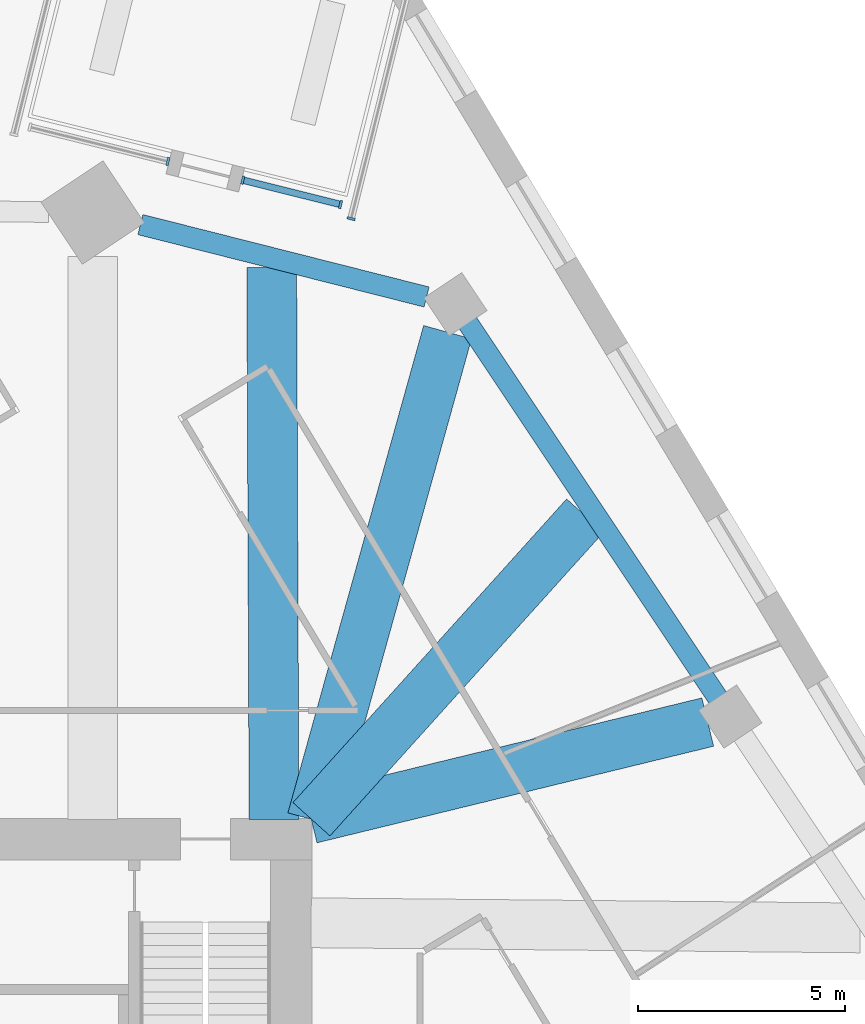
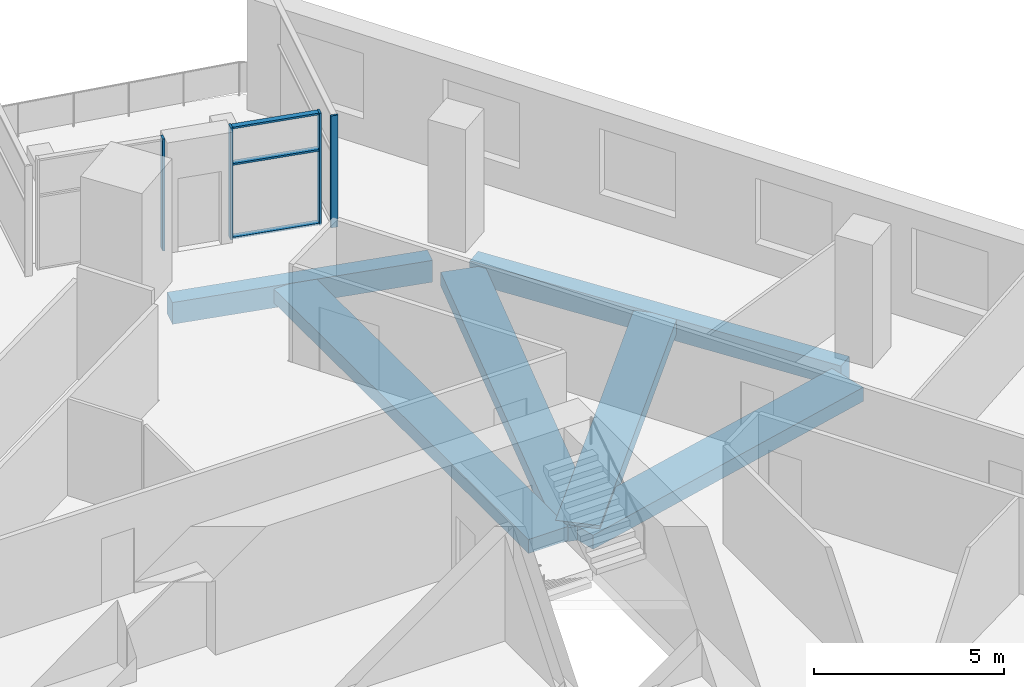
# One storey, part 2 of 14: 7 members, 6 beams, 3 elements without a shape of their own.
"""IFC4 building model written with IfcOpenShell, lengths in metres."""

from ifc_helpers import new_model, si_unit, direction, frame, origin, origin_2d, place, context, subcontext, project, spatial, rectangle, extrude, material, material_profile, profile_set, type_object, element, aggregate, save


model = new_model("IFC4")

# Units and contexts
model_context = context("Model", 3, precision=1e-05, world=origin(), true_north=direction((0.0, 1.0)))
body_context = subcontext(model_context, "Body", "Model", "MODEL_VIEW")
ifc_project = project(units=[si_unit("LENGTHUNIT", "METRE"), si_unit("AREAUNIT", "SQUARE_METRE"), si_unit("VOLUMEUNIT", "CUBIC_METRE"), si_unit("PLANEANGLEUNIT", "RADIAN"), si_unit("MASSUNIT", "GRAM", prefix="KILO")], contexts=[model_context])

# Site, building, storey
site_placement = place(None, origin())
site = spatial("IfcSite", under=ifc_project, at=site_placement, CompositionType="ELEMENT")
building_placement = place(site_placement, origin())
building = spatial("IfcBuilding", under=site, at=building_placement, Name="Dilmun Exchange Tower", CompositionType="ELEMENT")
storey_placement = place(building_placement, frame((0.0, 0.0, 151.699951171875)))
storey = spatial("IfcBuildingStorey", under=building, at=storey_placement, Name="L35", CompositionType="ELEMENT", Elevation=151.699951171875)

# Curtain wall, member
ifc_material_1 = material(Name="Anodised aluminium and clear glass", Category="aluminium")
curtain_wall_type = type_object("IfcCurtainWallType", Name="Garden corner glazing", PredefinedType="NOTDEFINED", material=ifc_material_1)
curtain_wall_1_placement = place(storey_placement, origin())
curtain_wall_1 = element("IfcCurtainWall", 1, at=curtain_wall_1_placement, inside=storey, type_object=curtain_wall_type, Name="Garden corner glazing run GC1.1", PredefinedType="NOTDEFINED")
ifc_material_2 = material(Name="Anodised aluminium", Category="aluminium")
ifc_material_profile_1 = material_profile(ifc_material_2, rectangle(XDim=0.199951171875, YDim=0.06005859375, at=origin_2d()), Name="AL 60x200")
ifc_profile_set_1 = profile_set([ifc_material_profile_1], Name="Anodised aluminium")
member_type_1 = type_object("IfcMemberType", Name="Garden corner glazing mullion 60 x 200", PredefinedType="MULLION", material=ifc_profile_set_1)
member_1_placement = place(storey_placement, frame((13.738037109375, 27.26171875, 0.0), z_axis=(0.0, 0.0, 1.0), x_axis=(0.970297683836, -0.241914044119, 0.0)))
member_1 = element("IfcMember", 2, at=member_1_placement, type_object=member_type_1, Name="GC1.1 mullion 2", PredefinedType="MULLION", context=body_context, shape_type="SweptSolid", body=[
    extrude(rectangle(XDim=0.199951171875, YDim=0.06005859375, at=origin_2d()), origin(), (0.0, 0.0, 1.0), 3.60009765625),
])
aggregate(curtain_wall_1, [member_1])

# Curtain wall, members
curtain_wall_2_placement = place(storey_placement, origin())
curtain_wall_2 = element("IfcCurtainWall", 3, at=curtain_wall_2_placement, inside=storey, type_object=curtain_wall_type, Name="Garden corner glazing run GC2.1", PredefinedType="NOTDEFINED")
member_2_placement = place(storey_placement, frame((13.48291015625, 27.603271484375, 0.0), z_axis=(0.0, 0.0, 1.0), x_axis=(-0.241940028841, -0.970291204971, 0.0)))
member_2 = element("IfcMember", 4, at=member_2_placement, type_object=member_type_1, Name="GC2.1 mullion 1", PredefinedType="MULLION", context=body_context, shape_type="SweptSolid", body=[
    extrude(rectangle(XDim=0.199951171875, YDim=0.06005859375, at=origin_2d()), origin(), (0.0, 0.0, 1.0), 3.60009765625),
])
member_3_placement = place(storey_placement, frame((11.126220703125, 28.191162109375, 0.0), z_axis=(0.0, 0.0, 1.0), x_axis=(-0.241940028841, -0.970291204971, 0.0)))
member_3 = element("IfcMember", 5, at=member_3_placement, type_object=member_type_1, Name="GC2.1 mullion 2", PredefinedType="MULLION", context=body_context, shape_type="SweptSolid", body=[
    extrude(rectangle(XDim=0.199951171875, YDim=0.06005859375, at=origin_2d()), origin(), (0.0, 0.0, 1.0), 3.60009765625),
])

# Curtain wall, member
curtain_wall_3_placement = place(storey_placement, origin())
curtain_wall_3 = element("IfcCurtainWall", 6, at=curtain_wall_3_placement, inside=storey, type_object=curtain_wall_type, Name="Garden corner glazing run GC2.3", PredefinedType="NOTDEFINED")
member_4_placement = place(storey_placement, frame((9.3212890625, 28.64111328125, 0.0), z_axis=(0.0, 0.0, 1.0), x_axis=(-0.24189492487, -0.970302450436, 0.0)))
member_4 = element("IfcMember", 7, at=member_4_placement, type_object=member_type_1, Name="GC2.3 mullion 1", PredefinedType="MULLION", context=body_context, shape_type="SweptSolid", body=[
    extrude(rectangle(XDim=0.199951171875, YDim=0.06005859375, at=origin_2d()), origin(), (0.0, 0.0, 1.0), 3.60009765625),
])
aggregate(curtain_wall_3, [member_4])

# Member
ifc_material_profile_2 = material_profile(ifc_material_2, rectangle(XDim=0.159912109375, YDim=0.06005859375, at=origin_2d()), Name="AL 60x160")
ifc_profile_set_2 = profile_set([ifc_material_profile_2], Name="Anodised aluminium")
member_type_2 = type_object("IfcMemberType", Name="Garden corner glazing transom 60 x 160", PredefinedType="USERDEFINED", material=ifc_profile_set_2)
member_5_placement = place(storey_placement, frame((13.453857421875, 27.610595703125, 0.030029296875), z_axis=(-0.970281769908, 0.241977864657, 0.0), x_axis=(-0.241977864657, -0.970281769908, 0.0)))
member_5 = element("IfcMember", 8, at=member_5_placement, type_object=member_type_2, Name="GC2.1 transom 1.1", ObjectType="TRANSOM", PredefinedType="USERDEFINED", context=body_context, shape_type="SweptSolid", body=[
    extrude(rectangle(XDim=0.159912109375, YDim=0.06005859375, at=origin_2d()), origin(), (0.0, 0.0, 1.0), 2.368896484375),
])

member_6_placement = place(storey_placement, frame((13.453857421875, 27.610595703125, 2.400146484375), z_axis=(-0.970281769908, 0.241977864657, 0.0), x_axis=(-0.241977864657, -0.970281769908, 0.0)))
member_6 = element("IfcMember", 9, at=member_6_placement, type_object=member_type_2, Name="GC2.1 transom 1.2", ObjectType="TRANSOM", PredefinedType="USERDEFINED", context=body_context, shape_type="SweptSolid", body=[
    extrude(rectangle(XDim=0.159912109375, YDim=0.06005859375, at=origin_2d()), origin(), (0.0, 0.0, 1.0), 2.368896484375),
])

member_7_placement = place(storey_placement, frame((13.453857421875, 27.610595703125, 3.570068359375), z_axis=(-0.970281769908, 0.241977864657, 0.0), x_axis=(-0.241977864657, -0.970281769908, 0.0)))
member_7 = element("IfcMember", 10, at=member_7_placement, type_object=member_type_2, Name="GC2.1 transom 1.3", ObjectType="TRANSOM", PredefinedType="USERDEFINED", context=body_context, shape_type="SweptSolid", body=[
    extrude(rectangle(XDim=0.159912109375, YDim=0.06005859375, at=origin_2d()), origin(), (0.0, 0.0, 1.0), 2.368896484375),
])

aggregate(curtain_wall_2, [member_2, member_3, member_5, member_6, member_7])

# Beams
ifc_material_3 = material(Name="Concrete C40/50", Category="concrete")
ifc_material_profile_3 = material_profile(ifc_material_3, rectangle(XDim=1.199951171875, YDim=0.449951171875, at=origin_2d()), Name="1200 x 450")
ifc_profile_set_3 = profile_set([ifc_material_profile_3], Name="Concrete C40/50")
beam_type_1 = type_object("IfcBeamType", Name="RC band beam 1200 x 450 C40/50", PredefinedType="BEAM", material=ifc_profile_set_3)
beam_1_placement = place(storey_placement, frame((22.33837890625, 15.122802734375, -0.724853515625), z_axis=(-0.971607999859, -0.236596480554, 0.0), x_axis=(0.236596480554, -0.971607999859, 0.0)))
element("IfcBeam", 11, at=beam_1_placement, inside=storey, type_object=beam_type_1, Name="Band beam 15", PredefinedType="BEAM", context=body_context, shape_type="SweptSolid", body=[
    extrude(rectangle(XDim=1.199951171875, YDim=0.449951171875, at=origin_2d()), origin(), (0.0, 0.0, 1.0), 9.84423828125),
])
beam_2_placement = place(storey_placement, frame((16.064453125, 24.524658203125, -0.724853515625), z_axis=(-0.268225004284, -0.963356292904, 0.0), x_axis=(0.963356292904, -0.268225004284, 0.0)))
element("IfcBeam", 12, at=beam_2_placement, inside=storey, type_object=beam_type_1, Name="Band beam 16", PredefinedType="BEAM", context=body_context, shape_type="SweptSolid", body=[
    extrude(rectangle(XDim=1.199951171875, YDim=0.449951171875, at=origin_2d()), origin(), (0.0, 0.0, 1.0), 12.19775390625),
])
beam_3_placement = place(storey_placement, frame((19.381103515625, 20.102783203125, -0.625), z_axis=(-0.669462647611, -0.742845719819, 0.0), x_axis=(0.742845719819, -0.669462647611, 0.0)))
element("IfcBeam", 13, at=beam_3_placement, inside=storey, type_object=beam_type_1, Name="Band beam 31", PredefinedType="BEAM", context=body_context, shape_type="SweptSolid", body=[
    extrude(rectangle(XDim=1.199951171875, YDim=0.449951171875, at=origin_2d()), origin(), (0.0, 0.0, 1.0), 9.857666015625),
])
beam_4_placement = place(storey_placement, frame((11.82421875, 26.087890625, -0.625), z_axis=(0.004107193345, -0.999991565446, 0.0), x_axis=(0.999991565446, 0.004107193345, 0.0)))
element("IfcBeam", 14, at=beam_4_placement, inside=storey, type_object=beam_type_1, Name="Band beam 32", PredefinedType="BEAM", context=body_context, shape_type="SweptSolid", body=[
    extrude(rectangle(XDim=1.199951171875, YDim=0.449951171875, at=origin_2d()), origin(), (0.0, 0.0, 1.0), 13.31494140625),
])
ifc_material_profile_4 = material_profile(ifc_material_3, rectangle(XDim=0.5, YDim=0.699951171875, at=origin_2d()), Name="500 x 700")
ifc_profile_set_4 = profile_set([ifc_material_profile_4], Name="Concrete C40/50")
beam_type_2 = type_object("IfcBeamType", Name="RC ring beam 500 x 700 C40/50", PredefinedType="SPANDREL", material=ifc_profile_set_4)
beam_5_placement = place(storey_placement, frame((22.5908203125, 15.690185546875, -0.75), z_axis=(-0.554731197186, 0.832029626196, 0.0), x_axis=(-0.832029626196, -0.554731197186, 0.0)))
element("IfcBeam", 15, at=beam_5_placement, inside=storey, type_object=beam_type_2, Name="Ring beam 15", PredefinedType="SPANDREL", context=body_context, shape_type="SweptSolid", body=[
    extrude(rectangle(XDim=0.5, YDim=0.699951171875, at=origin_2d()), origin(), (0.0, 0.0, 1.0), 10.904052734375),
])
beam_6_placement = place(storey_placement, frame((15.559326171875, 25.373291015625, -0.75), z_axis=(-0.96947736899, 0.245180812903, 0.0), x_axis=(-0.245180812903, -0.96947736899, 0.0)))
element("IfcBeam", 16, at=beam_6_placement, inside=storey, type_object=beam_type_2, Name="Ring beam 16", PredefinedType="SPANDREL", context=body_context, shape_type="SweptSolid", body=[
    extrude(rectangle(XDim=0.5, YDim=0.699951171875, at=origin_2d()), origin(), (0.0, 0.0, 1.0), 7.12060546875),
])

save(model, "model.ifc")
